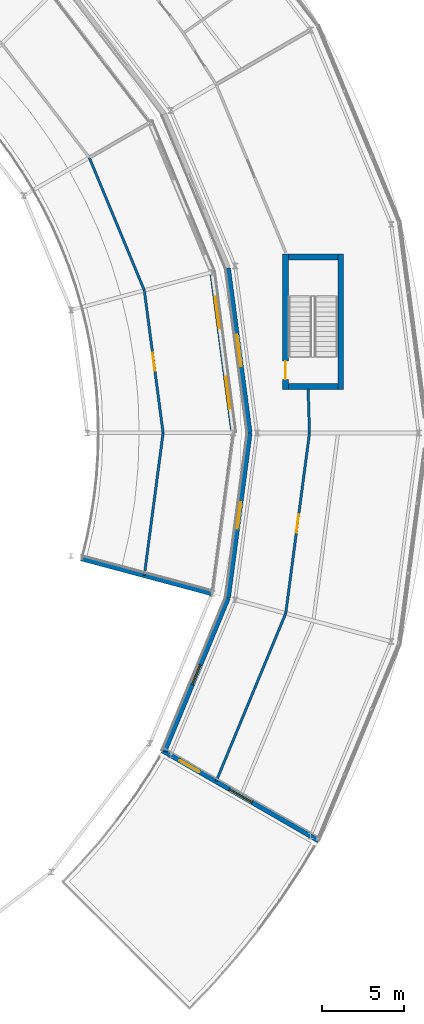
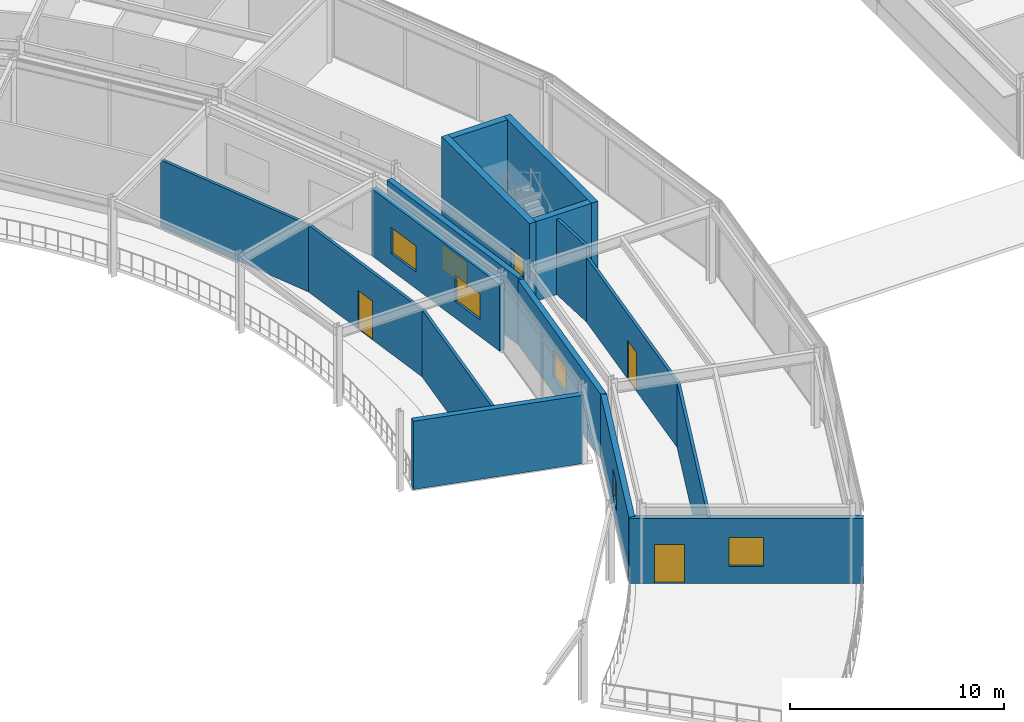
# One storey, part 102 of 133: 16 walls, 6 windows, 4 doors, 10 openings.
"""IFC4 building model written with IfcOpenShell, lengths in metres."""

from ifc_helpers import new_model, si_unit, direction, frame, frame_2d, origin, place, context, subcontext, project, spatial, rectangle, extrude, material, layer, layer_set, type_object, element, fill, save


model = new_model("IFC4")

# Units and contexts
model_context = context("Model", 3, precision=1e-05, world=origin(), true_north=direction((0.0, 1.0)))
body_context = subcontext(model_context, "Body", "Model", "MODEL_VIEW")
ifc_project = project(units=[si_unit("LENGTHUNIT", "METRE"), si_unit("AREAUNIT", "SQUARE_METRE"), si_unit("VOLUMEUNIT", "CUBIC_METRE"), si_unit("PLANEANGLEUNIT", "RADIAN"), si_unit("MASSUNIT", "GRAM", prefix="KILO")], contexts=[model_context])

# Site, building, storey
site_placement = place(None, origin())
site = spatial("IfcSite", under=ifc_project, at=site_placement, CompositionType="ELEMENT")
building_placement = place(site_placement, origin())
building = spatial("IfcBuilding", under=site, at=building_placement, Name="Almandine Court Research Institute", CompositionType="ELEMENT")
storey_placement = place(building_placement, frame((0.0, 0.0, 9.800048828125)))
storey = spatial("IfcBuildingStorey", under=building, at=storey_placement, Name="L02", CompositionType="ELEMENT", Elevation=9.800048828125)

# Wall, opening, window
ifc_material_1 = material(Name="Insulated Ochre Terracotta Rainscreen Wall", Category="masonry")
ifc_layer_1 = layer(ifc_material_1, 0.2900390625)
ifc_layer_set_1 = layer_set([ifc_layer_1], Name="Insulated Ochre Terracotta Rainscreen Wall")
wall_type_1 = type_object("IfcWallType", Name="Wall-EXT-TERR-290", PredefinedType="SOLIDWALL", material=ifc_layer_set_1)
wall_1_placement = place(storey_placement, frame((120.48291015625, 36.675048828125, 0.0), z_axis=(0.0, 0.0, 1.0), x_axis=(0.382733240508, 0.92385889973, 0.0)))
wall_1 = element("IfcWall", 1, at=wall_1_placement, inside=storey, type_object=wall_type_1, Name="L02 Drum Inner Gallery Wall 22", PredefinedType="SOLIDWALL", context=body_context, shape_type="SweptSolid", body=[
    extrude(rectangle(XDim=10.08056640625, YDim=0.2900390625, at=frame_2d((5.040283203125, 0.0))), origin(), (0.0, 0.0, 1.0), 3.68603515625),
])
opening_1_placement = place(wall_1_placement, frame((4.405029296875, 0.0, 0.949951171875)))
opening_1 = element("IfcOpeningElement", 2, at=opening_1_placement, cuts=wall_1, Name="Opening WN-105", PredefinedType="OPENING", context=body_context, shape_type="SweptSolid", body=[
    extrude(rectangle(XDim=1.27001953125, YDim=1.590087890625, at=frame_2d((0.635009765625, 0.794921875))), frame((0.0, 0.155029296875, 0.0), z_axis=(0.0, -1.0, 0.0), x_axis=(1.0, 0.0, 0.0)), (0.0, 0.0, 1.0), 0.31005859375),
])
ifc_material_2 = material(Name="Thermally Broken Low-E Double-Glazed Window", Category="glass")
window_type_1 = type_object("IfcWindowType", Name="Win-WN-105-1270x1590", PartitioningType="SINGLE_PANEL", PredefinedType="WINDOW", material=ifc_material_2)
window_1_placement = place(opening_1_placement, origin())
window_1 = element("IfcWindow", 3, at=window_1_placement, inside=storey, type_object=window_type_1, Name="L02 Modular Recessed Low-E Window 258", OverallHeight=1.590087890625, OverallWidth=1.27001953125, PartitioningType="SINGLE_PANEL", PredefinedType="WINDOW", context=body_context, shape_type="SweptSolid", body=[
    extrude(rectangle(XDim=1.27001953125, YDim=1.590087890625, at=frame_2d((0.635009765625, 0.794921875))), frame((0.0, 0.030029296875, 0.0), z_axis=(0.0, -1.0, 0.0), x_axis=(1.0, 0.0, 0.0)), (0.0, 0.0, 1.0), 0.06005859375),
])
fill(opening_1, window_1)

wall_2_placement = place(storey_placement, frame((124.343994140625, 46.0, 0.0), z_axis=(0.0, 0.0, 1.0), x_axis=(0.130450126879, 0.991454872597, 0.0)))
wall_2 = element("IfcWall", 4, at=wall_2_placement, inside=storey, type_object=wall_type_1, Name="L02 Drum Inner Gallery Wall 23", PredefinedType="SOLIDWALL", context=body_context, shape_type="SweptSolid", body=[
    extrude(rectangle(XDim=10.080078125, YDim=0.2900390625, at=frame_2d((5.0400390625, 0.0))), origin(), (0.0, 0.0, 1.0), 3.68603515625),
])
opening_2_placement = place(wall_2_placement, frame((4.239990234375, 0.0, 0.949951171875)))
opening_2 = element("IfcOpeningElement", 5, at=opening_2_placement, cuts=wall_2, Name="Opening WN-117", PredefinedType="OPENING", context=body_context, shape_type="SweptSolid", body=[
    extrude(rectangle(XDim=1.60009765625, YDim=1.510009765625, at=frame_2d((0.800048828125, 0.7548828125))), frame((0.0, 0.155029296875, 0.0), z_axis=(0.0, -1.0, 0.0), x_axis=(1.0, 0.0, 0.0)), (0.0, 0.0, 1.0), 0.31005859375),
])
window_type_2 = type_object("IfcWindowType", Name="Win-WN-117-1600x1510", PartitioningType="SINGLE_PANEL", PredefinedType="WINDOW", material=ifc_material_2)
window_2_placement = place(opening_2_placement, origin())
window_2 = element("IfcWindow", 6, at=window_2_placement, inside=storey, type_object=window_type_2, Name="L02 Modular Recessed Low-E Window 259", OverallHeight=1.510009765625, OverallWidth=1.60009765625, PartitioningType="SINGLE_PANEL", PredefinedType="WINDOW", context=body_context, shape_type="SweptSolid", body=[
    extrude(rectangle(XDim=1.60009765625, YDim=1.510009765625, at=frame_2d((0.800048828125, 0.7548828125))), frame((0.0, 0.030029296875, 0.0), z_axis=(0.0, -1.0, 0.0), x_axis=(1.0, 0.0, 0.0)), (0.0, 0.0, 1.0), 0.06005859375),
])
fill(opening_2, window_2)

wall_3_placement = place(storey_placement, frame((125.658935546875, 56.006103515625, 0.0), z_axis=(0.0, 0.0, 1.0), x_axis=(-0.130450126879, 0.991454872597, 0.0)))
wall_3 = element("IfcWall", 7, at=wall_3_placement, inside=storey, type_object=wall_type_1, Name="L02 Drum Inner Gallery Wall 00", PredefinedType="SOLIDWALL", context=body_context, shape_type="SweptSolid", body=[
    extrude(rectangle(XDim=10.080078125, YDim=0.2900390625, at=frame_2d((5.0400390625, 0.0))), origin(), (0.0, 0.0, 1.0), 3.81103515625),
])
opening_3_placement = place(wall_3_placement, frame((4.074951171875, 0.0, 0.949951171875)))
opening_3 = element("IfcOpeningElement", 8, at=opening_3_placement, cuts=wall_3, Name="Opening WN-118", PredefinedType="OPENING", context=body_context, shape_type="SweptSolid", body=[
    extrude(rectangle(XDim=1.929931640625, YDim=1.429931640625, at=frame_2d((0.96484375, 0.71484375))), frame((0.0, 0.155029296875, 0.0), z_axis=(0.0, -1.0, 0.0), x_axis=(1.0, 0.0, 0.0)), (0.0, 0.0, 1.0), 0.31005859375),
])
window_type_3 = type_object("IfcWindowType", Name="Win-WN-118-1930x1430", PartitioningType="SINGLE_PANEL", PredefinedType="WINDOW", material=ifc_material_2)
window_3_placement = place(opening_3_placement, origin())
window_3 = element("IfcWindow", 9, at=window_3_placement, inside=storey, type_object=window_type_3, Name="L02 Modular Recessed Low-E Window 260", OverallHeight=1.429931640625, OverallWidth=1.929931640625, PartitioningType="SINGLE_PANEL", PredefinedType="WINDOW", context=body_context, shape_type="SweptSolid", body=[
    extrude(rectangle(XDim=1.929931640625, YDim=1.429931640625, at=frame_2d((0.96484375, 0.71484375))), frame((0.0, 0.030029296875, 0.0), z_axis=(0.0, -1.0, 0.0), x_axis=(1.0, 0.0, 0.0)), (0.0, 0.0, 1.0), 0.06005859375),
])
fill(opening_3, window_3)

# Wall, openings, door, window
wall_4_placement = place(storey_placement, frame((120.363037109375, 36.738037109375, 0.0), z_axis=(0.0, 0.0, 1.0), x_axis=(0.866003669198, -0.500037643518, 0.0)))
wall_4 = element("IfcWall", 10, at=wall_4_placement, inside=storey, type_object=wall_type_1, Name="L02 Drum Radial End Wall START", PredefinedType="SOLIDWALL", context=body_context, shape_type="SweptSolid", body=[
    extrude(rectangle(XDim=10.951416015625, YDim=0.2900390625, at=frame_2d((5.4755859375, 0.0))), origin(), (0.0, 0.0, 1.0), 3.68603515625),
])
opening_4_placement = place(wall_4_placement, frame((1.199951171875, 0.0, 0.0)))
opening_4 = element("IfcOpeningElement", 11, at=opening_4_placement, cuts=wall_4, Name="Opening TD-01", PredefinedType="OPENING", context=body_context, shape_type="SweptSolid", body=[
    extrude(rectangle(XDim=1.39990234375, YDim=2.199951171875, at=frame_2d((0.699951171875, 1.10009765625))), frame((0.0, 0.155029296875, 0.0), z_axis=(0.0, -1.0, 0.0), x_axis=(1.0, 0.0, 0.0)), (0.0, 0.0, 1.0), 0.31005859375),
])
opening_5_placement = place(wall_4_placement, frame((4.676025390625, 0.0, 0.949951171875)))
opening_5 = element("IfcOpeningElement", 12, at=opening_5_placement, cuts=wall_4, Name="Opening WN-123", PredefinedType="OPENING", context=body_context, shape_type="SweptSolid", body=[
    extrude(rectangle(XDim=1.60009765625, YDim=1.669921875, at=frame_2d((0.800048828125, 0.8349609375))), frame((0.0, 0.155029296875, 0.0), z_axis=(0.0, -1.0, 0.0), x_axis=(1.0, 0.0, 0.0)), (0.0, 0.0, 1.0), 0.31005859375),
])
ifc_material_3 = material(Name="Thermally Broken Glazed Terrace Door")
door_type_1 = type_object("IfcDoorType", Name="Door-TER-1400", OperationType="DOUBLE_DOOR_SINGLE_SWING", PredefinedType="DOOR", material=ifc_material_3)
door_1_placement = place(opening_4_placement, origin())
door_1 = element("IfcDoor", 13, at=door_1_placement, inside=storey, type_object=door_type_1, Name="L02 Drum START Stepped Ring Terrace Door", OperationType="DOUBLE_DOOR_SINGLE_SWING", OverallHeight=2.199951171875, OverallWidth=1.39990234375, PredefinedType="DOOR", context=body_context, shape_type="SweptSolid", body=[
    extrude(rectangle(XDim=1.39990234375, YDim=2.199951171875, at=frame_2d((0.699951171875, 1.10009765625))), frame((0.0, 0.02490234375, 0.0), z_axis=(0.0, -1.0, 0.0), x_axis=(1.0, 0.0, 0.0)), (0.0, 0.0, 1.0), 0.050048828125),
])
fill(opening_4, door_1)
window_type_4 = type_object("IfcWindowType", Name="Win-WN-123-1600x1670", PartitioningType="SINGLE_PANEL", PredefinedType="WINDOW", material=ifc_material_2)
window_4_placement = place(opening_5_placement, origin())
window_4 = element("IfcWindow", 14, at=window_4_placement, inside=storey, type_object=window_type_4, Name="L02 Modular Recessed Low-E Window 275", OverallHeight=1.669921875, OverallWidth=1.60009765625, PartitioningType="SINGLE_PANEL", PredefinedType="WINDOW", context=body_context, shape_type="SweptSolid", body=[
    extrude(rectangle(XDim=1.60009765625, YDim=1.669921875, at=frame_2d((0.800048828125, 0.8349609375))), frame((0.0, 0.030029296875, 0.0), z_axis=(0.0, -1.0, 0.0), x_axis=(1.0, 0.0, 0.0)), (0.0, 0.0, 1.0), 0.06005859375),
])
fill(opening_5, window_4)

# Wall, openings, windows
wall_5_placement = place(storey_placement, frame((123.367919921875, 65.740966796875, 0.0), z_axis=(0.0, 0.0, 1.0), x_axis=(0.130435863969, -0.991456749128, 0.0)))
wall_5 = element("IfcWall", 15, at=wall_5_placement, inside=storey, type_object=wall_type_1, Name="L02 Interaction Atrium Perimeter Wall 00", PredefinedType="SOLIDWALL", context=body_context, shape_type="SweptSolid", body=[
    extrude(rectangle(XDim=9.821044921875, YDim=0.2900390625, at=frame_2d((4.91064453125, 0.0))), origin(), (0.0, 0.0, 1.0), 3.81103515625),
])
opening_6_placement = place(wall_5_placement, frame((1.489990234375, 0.0, 0.949951171875)))
opening_6 = element("IfcOpeningElement", 16, at=opening_6_placement, cuts=wall_5, Name="Opening WN-91", PredefinedType="OPENING", context=body_context, shape_type="SweptSolid", body=[
    extrude(rectangle(XDim=1.929931640625, YDim=1.47998046875, at=frame_2d((0.96484375, 0.739990234375))), frame((0.0, 0.155029296875, 0.0), z_axis=(0.0, -1.0, 0.0), x_axis=(1.0, 0.0, 0.0)), (0.0, 0.0, 1.0), 0.31005859375),
])
opening_7_placement = place(wall_5_placement, frame((6.40087890625, 0.0, 0.949951171875)))
opening_7 = element("IfcOpeningElement", 17, at=opening_7_placement, cuts=wall_5, Name="Opening WN-91", PredefinedType="OPENING", context=body_context, shape_type="SweptSolid", body=[
    extrude(rectangle(XDim=1.929931640625, YDim=1.47998046875, at=frame_2d((0.96484375, 0.739990234375))), frame((0.0, 0.155029296875, 0.0), z_axis=(0.0, -1.0, 0.0), x_axis=(1.0, 0.0, 0.0)), (0.0, 0.0, 1.0), 0.31005859375),
])
window_type_5 = type_object("IfcWindowType", Name="Win-WN-91-1930x1480", PartitioningType="SINGLE_PANEL", PredefinedType="WINDOW", material=ifc_material_2)
window_5_placement = place(opening_6_placement, origin())
window_5 = element("IfcWindow", 18, at=window_5_placement, inside=storey, type_object=window_type_5, Name="L02 Modular Recessed Low-E Window 356", OverallHeight=1.47998046875, OverallWidth=1.929931640625, PartitioningType="SINGLE_PANEL", PredefinedType="WINDOW", context=body_context, shape_type="SweptSolid", body=[
    extrude(rectangle(XDim=1.929931640625, YDim=1.47998046875, at=frame_2d((0.96484375, 0.739990234375))), frame((0.0, 0.030029296875, 0.0), z_axis=(0.0, -1.0, 0.0), x_axis=(1.0, 0.0, 0.0)), (0.0, 0.0, 1.0), 0.06005859375),
])
fill(opening_6, window_5)
window_6_placement = place(opening_7_placement, origin())
window_6 = element("IfcWindow", 19, at=window_6_placement, inside=storey, type_object=window_type_5, Name="L02 Modular Recessed Low-E Window 357", OverallHeight=1.47998046875, OverallWidth=1.929931640625, PartitioningType="SINGLE_PANEL", PredefinedType="WINDOW", context=body_context, shape_type="SweptSolid", body=[
    extrude(rectangle(XDim=1.929931640625, YDim=1.47998046875, at=frame_2d((0.96484375, 0.739990234375))), frame((0.0, 0.030029296875, 0.0), z_axis=(0.0, -1.0, 0.0), x_axis=(1.0, 0.0, 0.0)), (0.0, 0.0, 1.0), 0.06005859375),
])
fill(opening_7, window_6)

# Walls
wall_6_placement = place(storey_placement, frame((115.4208984375, 48.385009765625, 0.0), z_axis=(0.0, 0.0, 1.0), x_axis=(0.96592400429, -0.2588258448, 0.0)))
element("IfcWall", 20, at=wall_6_placement, inside=storey, type_object=wall_type_1, Name="L02 Atrium Gallery End Wall START", PredefinedType="SOLIDWALL", context=body_context, shape_type="SweptSolid", body=[
    extrude(rectangle(XDim=8.20263671875, YDim=0.2900390625, at=frame_2d((4.101318359375, 0.0))), origin(), (0.0, 0.0, 1.0), 3.89306640625),
])
ifc_material_4 = material(Name="Acoustic Steel-Stud Gypsum Partition Wall", Category="steel")
ifc_layer_2 = layer(ifc_material_4, 0.14990234375)
ifc_layer_set_2 = layer_set([ifc_layer_2], Name="Acoustic Steel-Stud Gypsum Partition Wall")
wall_type_2 = type_object("IfcWallType", Name="Wall-PART-150", PredefinedType="PARTITIONING", material=ifc_layer_set_2)
wall_7_placement = place(storey_placement, frame((123.615966796875, 34.860107421875, 0.0), z_axis=(0.0, 0.0, 1.0), x_axis=(0.382644845446, 0.923895514793, 0.0)))
element("IfcWall", 21, at=wall_7_placement, inside=storey, type_object=wall_type_2, Name="L02 Interior Partition W-V5-L02-CHD-22", PredefinedType="PARTITIONING", context=body_context, shape_type="SweptSolid", body=[
    extrude(rectangle(XDim=11.03662109375, YDim=0.14990234375, at=frame_2d((5.518310546875, 0.0))), origin(), (0.0, 0.0, 1.0), 3.68994140625),
])

# Wall, opening, door
wall_8_placement = place(storey_placement, frame((127.839111328125, 45.056884765625, 0.0), z_axis=(0.0, 0.0, 1.0), x_axis=(0.130546632054, 0.991442170204, 0.0)))
wall_8 = element("IfcWall", 22, at=wall_8_placement, inside=storey, type_object=wall_type_2, Name="L02 Interior Partition W-V5-L02-CHD-23", PredefinedType="PARTITIONING", context=body_context, shape_type="SweptSolid", body=[
    extrude(rectangle(XDim=11.03759765625, YDim=0.14990234375, at=frame_2d((5.518798828125, 0.0))), origin(), (0.0, 0.0, 1.0), 3.68994140625),
])
opening_8_placement = place(wall_8_placement, frame((4.949951171875, 0.0, 0.0)))
opening_8 = element("IfcOpeningElement", 23, at=opening_8_placement, cuts=wall_8, Name="Opening D-03", PredefinedType="OPENING", context=body_context, shape_type="SweptSolid", body=[
    extrude(rectangle(XDim=1.10009765625, YDim=2.199951171875, at=frame_2d((0.550048828125, 1.10009765625))), frame((0.0, 0.0849609375, 0.0), z_axis=(0.0, -1.0, 0.0), x_axis=(1.0, 0.0, 0.0)), (0.0, 0.0, 1.0), 0.169921875),
])
ifc_material_5 = material(Name="Acoustic Vision-Panel Seminar Door")
door_type_2 = type_object("IfcDoorType", Name="Door-INT-1100", OperationType="NOTDEFINED", PredefinedType="DOOR", material=ifc_material_5)
door_2_placement = place(opening_8_placement, origin())
door_2 = element("IfcDoor", 24, at=door_2_placement, inside=storey, type_object=door_type_2, Name="L02 Drum Write-up Office Door", OperationType="SINGLE_SWING_RIGHT", OverallHeight=2.199951171875, OverallWidth=1.10009765625, PredefinedType="DOOR", context=body_context, shape_type="SweptSolid", body=[
    extrude(rectangle(XDim=1.10009765625, YDim=2.199951171875, at=frame_2d((0.550048828125, 1.10009765625))), frame((0.0, 0.02490234375, 0.0), z_axis=(0.0, -1.0, 0.0), x_axis=(1.0, 0.0, 0.0)), (0.0, 0.0, 1.0), 0.050048828125),
])
fill(opening_8, door_2)

# Wall
wall_9_placement = place(storey_placement, frame((129.280029296875, 56.0, 0.0), z_axis=(0.0, 0.0, 1.0), x_axis=(-0.031249099163, 0.999511627647, 0.0)))
element("IfcWall", 25, at=wall_9_placement, inside=storey, type_object=wall_type_2, Name="L02 Interior Partition W-V5-L02-CHD-00", PredefinedType="PARTITIONING", context=body_context, shape_type="SweptSolid", body=[
    extrude(rectangle(XDim=2.65625, YDim=0.14990234375, at=frame_2d((1.328125, 0.0))), origin(), (0.0, 0.0, 1.0), 4.300048828125),
])

# Wall, opening, door
wall_10_placement = place(storey_placement, frame((120.39990234375, 56.0, 0.0), z_axis=(0.0, 0.0, 1.0), x_axis=(-0.130503763364, 0.991447813931, 0.0)))
wall_10 = element("IfcWall", 26, at=wall_10_placement, inside=storey, type_object=wall_type_2, Name="L02 Interior Partition W-V2-L02-CHD-00", PredefinedType="PARTITIONING", context=body_context, shape_type="SweptSolid", body=[
    extrude(rectangle(XDim=8.719482421875, YDim=0.14990234375, at=frame_2d((4.35986328125, 0.0))), origin(), (0.0, 0.0, 1.0), 3.81494140625),
])
opening_9_placement = place(wall_10_placement, frame((3.81005859375, 0.0, 0.0)))
opening_9 = element("IfcOpeningElement", 27, at=opening_9_placement, cuts=wall_10, Name="Opening D-03", PredefinedType="OPENING", context=body_context, shape_type="SweptSolid", body=[
    extrude(rectangle(XDim=1.10009765625, YDim=2.199951171875, at=frame_2d((0.550048828125, 1.10009765625))), frame((0.0, 0.0849609375, 0.0), z_axis=(0.0, -1.0, 0.0), x_axis=(1.0, 0.0, 0.0)), (0.0, 0.0, 1.0), 0.169921875),
])
door_3_placement = place(opening_9_placement, origin())
door_3 = element("IfcDoor", 28, at=door_3_placement, inside=storey, type_object=door_type_2, Name="L02 Atrium Poster Exhibition Gallery Door", OperationType="SINGLE_SWING_RIGHT", OverallHeight=2.199951171875, OverallWidth=1.10009765625, PredefinedType="DOOR", context=body_context, shape_type="SweptSolid", body=[
    extrude(rectangle(XDim=1.10009765625, YDim=2.199951171875, at=frame_2d((0.550048828125, 1.10009765625))), frame((0.0, 0.02490234375, 0.0), z_axis=(0.0, -1.0, 0.0), x_axis=(1.0, 0.0, 0.0)), (0.0, 0.0, 1.0), 0.050048828125),
])
fill(opening_9, door_3)

# Walls
wall_11_placement = place(storey_placement, frame((119.261962890625, 64.64501953125, 0.0), z_axis=(0.0, 0.0, 1.0), x_axis=(-0.382727695016, 0.923861197079, 0.0)))
element("IfcWall", 29, at=wall_11_placement, inside=storey, type_object=wall_type_2, Name="L02 Interior Partition W-V2-L02-CHD-01", PredefinedType="PARTITIONING", context=body_context, shape_type="SweptSolid", body=[
    extrude(rectangle(XDim=8.71875, YDim=0.14990234375, at=frame_2d((4.359375, 0.0))), origin(), (0.0, 0.0, 1.0), 3.81494140625),
])
wall_12_placement = place(storey_placement, frame((119.261962890625, 47.35498046875, 0.0), z_axis=(0.0, 0.0, 1.0), x_axis=(0.130503763364, 0.991447813931, 0.0)))
element("IfcWall", 30, at=wall_12_placement, inside=storey, type_object=wall_type_2, Name="L02 Interior Partition W-V2-L02-CHD-23", PredefinedType="PARTITIONING", context=body_context, shape_type="SweptSolid", body=[
    extrude(rectangle(XDim=8.719482421875, YDim=0.14990234375, at=frame_2d((4.35986328125, 0.0))), origin(), (0.0, 0.0, 1.0), 3.81494140625),
])

# Wall, opening, door
ifc_material_6 = material(Name="Concrete C40/50", Category="concrete")
ifc_layer_3 = layer(ifc_material_6, 0.35009765625)
ifc_layer_set_3 = layer_set([ifc_layer_3], Name="Concrete C40/50")
wall_type_3 = type_object("IfcWallType", Name="Wall-SW-CORE-350", PredefinedType="SHEAR", material=ifc_layer_set_3)
wall_13_placement = place(storey_placement, frame((127.824951171875, 58.64990234375, 0.0), z_axis=(0.0, 0.0, 1.0), x_axis=(0.0, 1.0, 0.0)))
wall_13 = element("IfcWall", 31, at=wall_13_placement, inside=storey, type_object=wall_type_3, Name="L02 ST-14 W Shear Wall", PredefinedType="SHEAR", context=body_context, shape_type="SweptSolid", body=[
    extrude(rectangle(XDim=8.2001953125, YDim=0.35009765625, at=frame_2d((4.10009765625, 0.0))), origin(), (0.0, 0.0, 1.0), 4.550048828125),
])
opening_10_placement = place(wall_13_placement, frame((0.60009765625, 0.0, 0.0)))
opening_10 = element("IfcOpeningElement", 32, at=opening_10_placement, cuts=wall_13, Name="Opening FD-STAIR", PredefinedType="OPENING", context=body_context, shape_type="SweptSolid", body=[
    extrude(rectangle(XDim=1.10009765625, YDim=2.14990234375, at=frame_2d((0.550048828125, 1.074951171875))), frame((0.0, 0.18505859375, 0.0), z_axis=(0.0, -1.0, 0.0), x_axis=(1.0, 0.0, 0.0)), (0.0, 0.0, 1.0), 0.3701171875),
])
ifc_material_7 = material(Name="Self-Closing Steel Exit Stair Fire Door", Category="steel")
door_type_3 = type_object("IfcDoorType", Name="Door-FD-STAIR-1100", OperationType="NOTDEFINED", PredefinedType="DOOR", material=ifc_material_7)
door_4_placement = place(opening_10_placement, origin())
door_4 = element("IfcDoor", 33, at=door_4_placement, inside=storey, type_object=door_type_3, Name="L02 Exit Stair ST-14 Fire Door", OperationType="SINGLE_SWING_RIGHT", OverallHeight=2.14990234375, OverallWidth=1.10009765625, PredefinedType="DOOR", context=body_context, shape_type="SweptSolid", body=[
    extrude(rectangle(XDim=1.10009765625, YDim=2.14990234375, at=frame_2d((0.550048828125, 1.074951171875))), frame((0.0, 0.02490234375, 0.0), z_axis=(0.0, -1.0, 0.0), x_axis=(1.0, 0.0, 0.0)), (0.0, 0.0, 1.0), 0.050048828125),
])
fill(opening_10, door_4)

# Walls
wall_14_placement = place(storey_placement, frame((128.0, 66.675048828125, 0.0), z_axis=(0.0, 0.0, 1.0), x_axis=(1.0, 0.0, 0.0)))
element("IfcWall", 34, at=wall_14_placement, inside=storey, type_object=wall_type_3, Name="L02 ST-14 N Shear Wall", PredefinedType="SHEAR", context=body_context, shape_type="SweptSolid", body=[
    extrude(rectangle(XDim=3.0, YDim=0.35009765625, at=frame_2d((1.5, 0.0))), origin(), (0.0, 0.0, 1.0), 4.550048828125),
])
wall_15_placement = place(storey_placement, frame((131.175048828125, 66.85009765625, 0.0), z_axis=(0.0, 0.0, 1.0), x_axis=(0.0, -1.0, 0.0)))
element("IfcWall", 35, at=wall_15_placement, inside=storey, type_object=wall_type_3, Name="L02 ST-14 E Shear Wall", PredefinedType="SHEAR", context=body_context, shape_type="SweptSolid", body=[
    extrude(rectangle(XDim=8.2001953125, YDim=0.35009765625, at=frame_2d((4.10009765625, 0.0))), origin(), (0.0, 0.0, 1.0), 4.550048828125),
])
wall_16_placement = place(storey_placement, frame((131.0, 58.824951171875, 0.0), z_axis=(0.0, 0.0, 1.0), x_axis=(-1.0, 0.0, 0.0)))
element("IfcWall", 36, at=wall_16_placement, inside=storey, type_object=wall_type_3, Name="L02 ST-14 S Shear Wall", PredefinedType="SHEAR", context=body_context, shape_type="SweptSolid", body=[
    extrude(rectangle(XDim=3.0, YDim=0.35009765625, at=frame_2d((1.5, 0.0))), origin(), (0.0, 0.0, 1.0), 4.550048828125),
])

save(model, "model.ifc")
